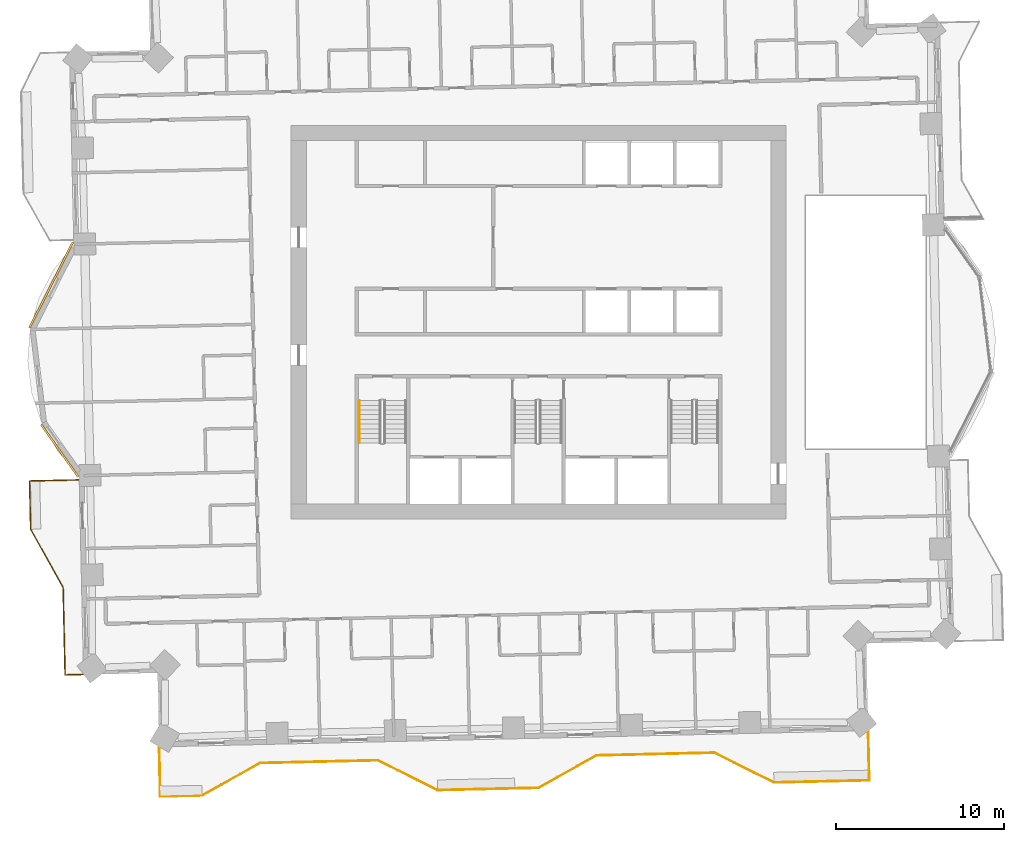
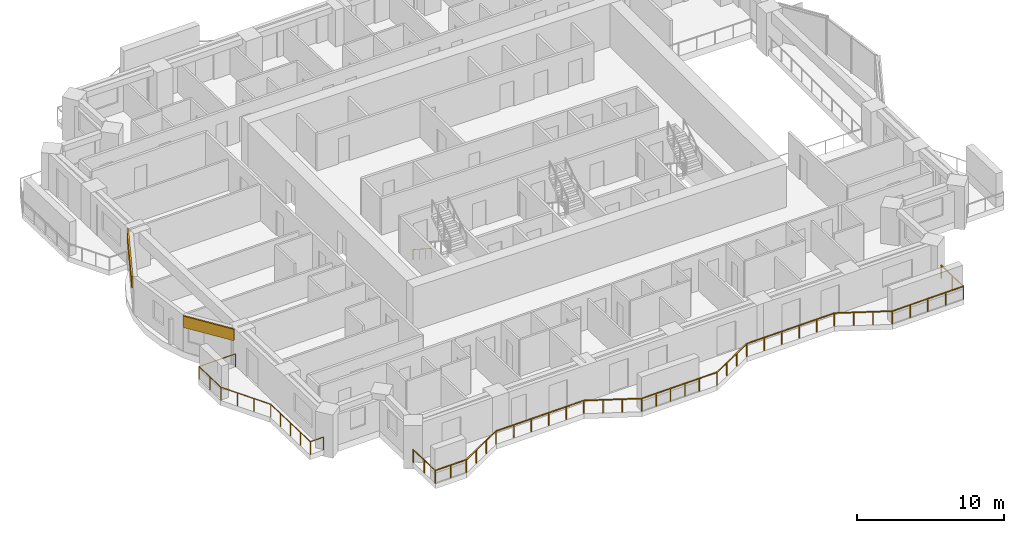
# One storey, part 13 of 16: 3 railings, 2 coverings.
"""IFC4 building model written with IfcOpenShell, lengths in metres."""

from ifc_helpers import new_model, si_unit, direction, frame, frame_2d, origin, origin_2d, place, context, subcontext, project, spatial, rectangle, circle, extrude, material, layer, layer_set, type_object, element, save


model = new_model("IFC4")

# Units and contexts
model_context = context("Model", 3, precision=1e-05, world=origin(), true_north=direction((0.0, 1.0)))
body_context = subcontext(model_context, "Body", "Model", "MODEL_VIEW")
ifc_project = project(units=[si_unit("LENGTHUNIT", "METRE"), si_unit("AREAUNIT", "SQUARE_METRE"), si_unit("VOLUMEUNIT", "CUBIC_METRE"), si_unit("PLANEANGLEUNIT", "RADIAN"), si_unit("MASSUNIT", "GRAM", prefix="KILO")], contexts=[model_context])

# Site, building, storey
site_placement = place(None, origin())
site = spatial("IfcSite", under=ifc_project, at=site_placement, CompositionType="ELEMENT")
building_placement = place(site_placement, origin())
building = spatial("IfcBuilding", under=site, at=building_placement, Name="Mangrove Gate Tower", CompositionType="ELEMENT")
storey_placement = place(building_placement, frame((0.0, 0.0, 140.89990234375)))
storey = spatial("IfcBuildingStorey", under=building, at=storey_placement, Name="L35", CompositionType="ELEMENT", Elevation=140.89990234375)

# Railings
ifc_material_1 = material(Name="Stainless steel grade 316 with laminated glass infill", Category="steel")
railing_type_1 = type_object("IfcRailingType", Name="Balcony guard 1100", PredefinedType="GUARDRAIL", material=ifc_material_1)
railing_1_placement = place(storey_placement, frame((-27.343994140625, -9.361083984375, 0.0)))
element("IfcRailing", 1, at=railing_1_placement, inside=storey, type_object=railing_type_1, Name="GUARD L35 W2", PredefinedType="GUARDRAIL", context=body_context, shape_type="SweptSolid", body=[
    extrude(rectangle(XDim=0.048095703125, YDim=0.048095703125, at=origin_2d()), frame((0.0, 0.0, 1.076171875), z_axis=(-0.999743349437, -0.022654696127, 0.0), x_axis=(0.022654696127, -0.999743349437, 0.0)), (0.0, 0.0, 1.0), 2.90966796875),
    extrude(rectangle(XDim=0.048095703125, YDim=0.048095703125, at=origin_2d()), frame((-2.908935546875, -0.06591796875, 1.076171875), z_axis=(0.022590224177, -0.999744808324, 0.0), x_axis=(0.999744808324, 0.022590224177, 0.0)), (0.0, 0.0, 1.0), 2.874755859375),
    extrude(rectangle(XDim=0.048095703125, YDim=0.048095703125, at=origin_2d()), frame((-2.843994140625, -2.93994140625, 1.076171875), z_axis=(0.48726008209, -0.87325689943, 0.0), x_axis=(0.87325689943, 0.48726008209, 0.0)), (0.0, 0.0, 1.0), 3.958740234375),
    extrude(rectangle(XDim=0.048095703125, YDim=0.048095703125, at=origin_2d()), frame((-0.9150390625, -6.39697265625, 1.076171875), z_axis=(0.022675548694, -0.99974287669, 0.0), x_axis=(0.99974287669, 0.022675548694, 0.0)), (0.0, 0.0, 1.0), 5.2001953125),
    extrude(rectangle(XDim=0.048095703125, YDim=0.048095703125, at=origin_2d()), frame((-0.797119140625, -11.595947265625, 1.076171875), z_axis=(0.999745389313, 0.022564497502, 0.0), x_axis=(-0.022564497502, 0.999745389313, 0.0)), (0.0, 0.0, 1.0), 1.060302734375),
    extrude(rectangle(XDim=0.0419921875, YDim=0.0419921875, at=origin_2d()), origin(), (0.0, 0.0, 1.0), 1.052001953125),
    extrude(rectangle(XDim=0.0419921875, YDim=0.0419921875, at=origin_2d()), frame((-1.45458984375, -0.032958984375, 0.0)), (0.0, 0.0, 1.0), 1.052001953125),
    extrude(rectangle(XDim=0.0419921875, YDim=0.0419921875, at=origin_2d()), frame((-2.908935546875, -0.06591796875, 0.0)), (0.0, 0.0, 1.0), 1.052001953125),
    extrude(rectangle(XDim=0.0419921875, YDim=0.0419921875, at=origin_2d()), frame((-2.87646484375, -1.5029296875, 0.0)), (0.0, 0.0, 1.0), 1.052001953125),
    extrude(rectangle(XDim=0.0419921875, YDim=0.0419921875, at=origin_2d()), frame((-2.843994140625, -2.93994140625, 0.0)), (0.0, 0.0, 1.0), 1.052001953125),
    extrude(rectangle(XDim=0.0419921875, YDim=0.0419921875, at=origin_2d()), frame((-2.200927734375, -4.09228515625, 0.0)), (0.0, 0.0, 1.0), 1.052001953125),
    extrude(rectangle(XDim=0.0419921875, YDim=0.0419921875, at=origin_2d()), frame((-1.55810546875, -5.24462890625, 0.0)), (0.0, 0.0, 1.0), 1.052001953125),
    extrude(rectangle(XDim=0.0419921875, YDim=0.0419921875, at=origin_2d()), frame((-0.9150390625, -6.39697265625, 0.0)), (0.0, 0.0, 1.0), 1.052001953125),
    extrude(rectangle(XDim=0.0419921875, YDim=0.0419921875, at=origin_2d()), frame((-0.885498046875, -7.69677734375, 0.0)), (0.0, 0.0, 1.0), 1.052001953125),
    extrude(rectangle(XDim=0.0419921875, YDim=0.0419921875, at=origin_2d()), frame((-0.85595703125, -8.99658203125, 0.0)), (0.0, 0.0, 1.0), 1.052001953125),
    extrude(rectangle(XDim=0.0419921875, YDim=0.0419921875, at=origin_2d()), frame((-0.82666015625, -10.296142578125, 0.0)), (0.0, 0.0, 1.0), 1.052001953125),
    extrude(rectangle(XDim=0.0419921875, YDim=0.0419921875, at=origin_2d()), frame((-0.797119140625, -11.595947265625, 0.0)), (0.0, 0.0, 1.0), 1.052001953125),
    extrude(rectangle(XDim=0.0419921875, YDim=0.0419921875, at=origin_2d()), frame((0.262939453125, -11.572021484375, 0.0)), (0.0, 0.0, 1.0), 1.052001953125),
])
railing_2_placement = place(storey_placement, frame((-22.541015625, -25.27099609375, 0.0)))
element("IfcRailing", 2, at=railing_2_placement, inside=storey, type_object=railing_type_1, Name="GUARD L35 S1", PredefinedType="GUARDRAIL", context=body_context, shape_type="SweptSolid", body=[
    extrude(rectangle(XDim=0.048095703125, YDim=0.048095703125, at=origin_2d()), frame((0.0, 0.0, 1.076171875), z_axis=(0.022319239446, -0.999750894749, 0.0), x_axis=(0.999750894749, 0.022319239446, 0.0)), (0.0, 0.0, 1.0), 2.90966796875),
    extrude(rectangle(XDim=0.048095703125, YDim=0.048095703125, at=origin_2d()), frame((0.06494140625, -2.908935546875, 1.076171875), z_axis=(0.999744377796, 0.022609269456, 0.0), x_axis=(-0.022609269456, 0.999744377796, 0.0)), (0.0, 0.0, 1.0), 2.472900390625),
    extrude(rectangle(XDim=0.048095703125, YDim=0.048095703125, at=origin_2d()), frame((2.537109375, -2.85302734375, 1.076171875), z_axis=(0.873242256246, 0.487286324359, 0.0), x_axis=(-0.487286324359, 0.873242256246, 0.0)), (0.0, 0.0, 1.0), 3.95849609375),
    extrude(rectangle(XDim=0.048095703125, YDim=0.048095703125, at=origin_2d()), frame((5.993896484375, -0.924072265625, 1.076171875), z_axis=(0.999745352708, 0.022566119286, 0.0), x_axis=(-0.022566119286, 0.999745352708, 0.0)), (0.0, 0.0, 1.0), 6.999755859375),
    extrude(rectangle(XDim=0.048095703125, YDim=0.048095703125, at=origin_2d()), frame((12.991943359375, -0.76611328125, 1.076171875), z_axis=(0.894501186021, -0.447065574839, 0.0), x_axis=(0.447065574839, 0.894501186021, 0.0)), (0.0, 0.0, 1.0), 3.958740234375),
    extrude(rectangle(XDim=0.048095703125, YDim=0.048095703125, at=origin_2d()), frame((16.532958984375, -2.535888671875, 1.076171875), z_axis=(0.999739584003, 0.022820258049, 0.0), x_axis=(-0.022820258049, 0.999739584003, 0.0)), (0.0, 0.0, 1.0), 4.600341796875),
    extrude(rectangle(XDim=0.048095703125, YDim=0.048095703125, at=origin_2d()), frame((21.132080078125, -2.430908203125, 1.076171875), z_axis=(0.999754810245, 0.022143156767, 0.0), x_axis=(-0.022143156767, 0.999754810245, 0.0)), (0.0, 0.0, 1.0), 1.400146484375),
    extrude(rectangle(XDim=0.048095703125, YDim=0.048095703125, at=origin_2d()), frame((22.531982421875, -2.39990234375, 1.076171875), z_axis=(0.87325689943, 0.48726008209, 0.0), x_axis=(-0.48726008209, 0.87325689943, 0.0)), (0.0, 0.0, 1.0), 3.958740234375),
    extrude(rectangle(XDim=0.048095703125, YDim=0.048095703125, at=origin_2d()), frame((25.989013671875, -0.470947265625, 1.076171875), z_axis=(0.999742195543, 0.022705559911, 0.0), x_axis=(-0.022705559911, 0.999742195543, 0.0)), (0.0, 0.0, 1.0), 6.999755859375),
    extrude(rectangle(XDim=0.048095703125, YDim=0.048095703125, at=origin_2d()), frame((32.987060546875, -0.31201171875, 1.076171875), z_axis=(0.894476522376, -0.447114919141, 0.0), x_axis=(0.447114919141, 0.894476522376, 0.0)), (0.0, 0.0, 1.0), 3.958740234375),
    extrude(rectangle(XDim=0.048095703125, YDim=0.048095703125, at=origin_2d()), frame((36.528076171875, -2.08203125, 1.076171875), z_axis=(0.999741746657, 0.022725316094, 0.0), x_axis=(-0.022725316094, 0.999741746657, 0.0)), (0.0, 0.0, 1.0), 5.67236328125),
    extrude(rectangle(XDim=0.048095703125, YDim=0.048095703125, at=origin_2d()), frame((42.198974609375, -1.953125, 1.076171875), z_axis=(-0.022652795902, 0.999743392495, 0.0), x_axis=(-0.999743392495, -0.022652795902, 0.0)), (0.0, 0.0, 1.0), 2.909912109375),
    extrude(rectangle(XDim=0.0419921875, YDim=0.0419921875, at=origin_2d()), origin(), (0.0, 0.0, 1.0), 1.052001953125),
    extrude(rectangle(XDim=0.0419921875, YDim=0.0419921875, at=origin_2d()), frame((0.032470703125, -1.45458984375, 0.0)), (0.0, 0.0, 1.0), 1.052001953125),
    extrude(rectangle(XDim=0.0419921875, YDim=0.0419921875, at=origin_2d()), frame((0.06494140625, -2.908935546875, 0.0)), (0.0, 0.0, 1.0), 1.052001953125),
    extrude(rectangle(XDim=0.0419921875, YDim=0.0419921875, at=origin_2d()), frame((1.301025390625, -2.880859375, 0.0)), (0.0, 0.0, 1.0), 1.052001953125),
    extrude(rectangle(XDim=0.0419921875, YDim=0.0419921875, at=origin_2d()), frame((2.537109375, -2.85302734375, 0.0)), (0.0, 0.0, 1.0), 1.052001953125),
    extrude(rectangle(XDim=0.0419921875, YDim=0.0419921875, at=origin_2d()), frame((3.689453125, -2.2099609375, 0.0)), (0.0, 0.0, 1.0), 1.052001953125),
    extrude(rectangle(XDim=0.0419921875, YDim=0.0419921875, at=origin_2d()), frame((4.841552734375, -1.567138671875, 0.0)), (0.0, 0.0, 1.0), 1.052001953125),
    extrude(rectangle(XDim=0.0419921875, YDim=0.0419921875, at=origin_2d()), frame((5.993896484375, -0.924072265625, 0.0)), (0.0, 0.0, 1.0), 1.052001953125),
    extrude(rectangle(XDim=0.0419921875, YDim=0.0419921875, at=origin_2d()), frame((7.3935546875, -0.892578125, 0.0)), (0.0, 0.0, 1.0), 1.052001953125),
    extrude(rectangle(XDim=0.0419921875, YDim=0.0419921875, at=origin_2d()), frame((8.793212890625, -0.86083984375, 0.0)), (0.0, 0.0, 1.0), 1.052001953125),
    extrude(rectangle(XDim=0.0419921875, YDim=0.0419921875, at=origin_2d()), frame((10.192626953125, -0.829345703125, 0.0)), (0.0, 0.0, 1.0), 1.052001953125),
    extrude(rectangle(XDim=0.0419921875, YDim=0.0419921875, at=origin_2d()), frame((11.59228515625, -0.797607421875, 0.0)), (0.0, 0.0, 1.0), 1.052001953125),
    extrude(rectangle(XDim=0.0419921875, YDim=0.0419921875, at=origin_2d()), frame((12.991943359375, -0.76611328125, 0.0)), (0.0, 0.0, 1.0), 1.052001953125),
    extrude(rectangle(XDim=0.0419921875, YDim=0.0419921875, at=origin_2d()), frame((14.17236328125, -1.35595703125, 0.0)), (0.0, 0.0, 1.0), 1.052001953125),
    extrude(rectangle(XDim=0.0419921875, YDim=0.0419921875, at=origin_2d()), frame((15.3525390625, -1.946044921875, 0.0)), (0.0, 0.0, 1.0), 1.052001953125),
    extrude(rectangle(XDim=0.0419921875, YDim=0.0419921875, at=origin_2d()), frame((16.532958984375, -2.535888671875, 0.0)), (0.0, 0.0, 1.0), 1.052001953125),
    extrude(rectangle(XDim=0.0419921875, YDim=0.0419921875, at=origin_2d()), frame((17.6826171875, -2.509765625, 0.0)), (0.0, 0.0, 1.0), 1.052001953125),
    extrude(rectangle(XDim=0.0419921875, YDim=0.0419921875, at=origin_2d()), frame((18.83251953125, -2.4833984375, 0.0)), (0.0, 0.0, 1.0), 1.052001953125),
    extrude(rectangle(XDim=0.0419921875, YDim=0.0419921875, at=origin_2d()), frame((19.982421875, -2.45703125, 0.0)), (0.0, 0.0, 1.0), 1.052001953125),
    extrude(rectangle(XDim=0.0419921875, YDim=0.0419921875, at=origin_2d()), frame((21.132080078125, -2.430908203125, 0.0)), (0.0, 0.0, 1.0), 1.052001953125),
    extrude(rectangle(XDim=0.0419921875, YDim=0.0419921875, at=origin_2d()), frame((22.531982421875, -2.39990234375, 0.0)), (0.0, 0.0, 1.0), 1.052001953125),
    extrude(rectangle(XDim=0.0419921875, YDim=0.0419921875, at=origin_2d()), frame((23.684326171875, -1.7568359375, 0.0)), (0.0, 0.0, 1.0), 1.052001953125),
    extrude(rectangle(XDim=0.0419921875, YDim=0.0419921875, at=origin_2d()), frame((24.836669921875, -1.114013671875, 0.0)), (0.0, 0.0, 1.0), 1.052001953125),
    extrude(rectangle(XDim=0.0419921875, YDim=0.0419921875, at=origin_2d()), frame((25.989013671875, -0.470947265625, 0.0)), (0.0, 0.0, 1.0), 1.052001953125),
    extrude(rectangle(XDim=0.0419921875, YDim=0.0419921875, at=origin_2d()), frame((27.388671875, -0.439208984375, 0.0)), (0.0, 0.0, 1.0), 1.052001953125),
    extrude(rectangle(XDim=0.0419921875, YDim=0.0419921875, at=origin_2d()), frame((28.788330078125, -0.407470703125, 0.0)), (0.0, 0.0, 1.0), 1.052001953125),
    extrude(rectangle(XDim=0.0419921875, YDim=0.0419921875, at=origin_2d()), frame((30.187744140625, -0.37548828125, 0.0)), (0.0, 0.0, 1.0), 1.052001953125),
    extrude(rectangle(XDim=0.0419921875, YDim=0.0419921875, at=origin_2d()), frame((31.58740234375, -0.34375, 0.0)), (0.0, 0.0, 1.0), 1.052001953125),
    extrude(rectangle(XDim=0.0419921875, YDim=0.0419921875, at=origin_2d()), frame((32.987060546875, -0.31201171875, 0.0)), (0.0, 0.0, 1.0), 1.052001953125),
    extrude(rectangle(XDim=0.0419921875, YDim=0.0419921875, at=origin_2d()), frame((34.16748046875, -0.902099609375, 0.0)), (0.0, 0.0, 1.0), 1.052001953125),
    extrude(rectangle(XDim=0.0419921875, YDim=0.0419921875, at=origin_2d()), frame((35.34765625, -1.491943359375, 0.0)), (0.0, 0.0, 1.0), 1.052001953125),
    extrude(rectangle(XDim=0.0419921875, YDim=0.0419921875, at=origin_2d()), frame((36.528076171875, -2.08203125, 0.0)), (0.0, 0.0, 1.0), 1.052001953125),
    extrude(rectangle(XDim=0.0419921875, YDim=0.0419921875, at=origin_2d()), frame((37.94580078125, -2.0498046875, 0.0)), (0.0, 0.0, 1.0), 1.052001953125),
    extrude(rectangle(XDim=0.0419921875, YDim=0.0419921875, at=origin_2d()), frame((39.363525390625, -2.017578125, 0.0)), (0.0, 0.0, 1.0), 1.052001953125),
    extrude(rectangle(XDim=0.0419921875, YDim=0.0419921875, at=origin_2d()), frame((40.78125, -1.9853515625, 0.0)), (0.0, 0.0, 1.0), 1.052001953125),
    extrude(rectangle(XDim=0.0419921875, YDim=0.0419921875, at=origin_2d()), frame((42.198974609375, -1.953125, 0.0)), (0.0, 0.0, 1.0), 1.052001953125),
    extrude(rectangle(XDim=0.0419921875, YDim=0.0419921875, at=origin_2d()), frame((42.166015625, -0.49853515625, 0.0)), (0.0, 0.0, 1.0), 1.052001953125),
    extrude(rectangle(XDim=0.0419921875, YDim=0.0419921875, at=origin_2d()), frame((42.133056640625, 0.9560546875, 0.0)), (0.0, 0.0, 1.0), 1.052001953125),
])
ifc_material_2 = material(Name="Stainless steel 316", Category="steel")
railing_type_2 = type_object("IfcRailingType", Name="Core stair handrail 900", PredefinedType="HANDRAIL", material=ifc_material_2)
railing_3_placement = place(storey_placement, frame((-10.64990234375, -4.64990234375, 0.18017578125)))
element("IfcRailing", 3, at=railing_3_placement, inside=storey, type_object=railing_type_2, Name="L35 ST1 stair handrail 1", PredefinedType="HANDRAIL", context=body_context, shape_type="SweptSolid", body=[
    extrude(circle(Radius=0.02392578125, at=origin_2d()), frame((0.0, 0.0, 0.8759765625), z_axis=(0.0, -0.841199657755, 0.540724639528), x_axis=(1.0, 0.0, 0.0)), (0.0, 0.0, 1.0), 2.995849609375),
    extrude(circle(Radius=0.02099609375, at=origin_2d()), origin(), (0.0, 0.0, 1.0), 0.851806640625),
    extrude(circle(Radius=0.02099609375, at=origin_2d()), frame((0.0, -0.840087890625, 0.5400390625)), (0.0, 0.0, 1.0), 0.851806640625),
    extrude(circle(Radius=0.02099609375, at=origin_2d()), frame((0.0, -1.679931640625, 1.079833984375)), (0.0, 0.0, 1.0), 0.851806640625),
    extrude(circle(Radius=0.02099609375, at=origin_2d()), frame((0.0, -2.52001953125, 1.619873046875)), (0.0, 0.0, 1.0), 0.851806640625),
])

# Coverings
ifc_material_3 = material(Name="Limestone", Category="masonry")
ifc_layer_1 = layer(ifc_material_3, 0.0400390625, Name="Limestone cladding")
ifc_material_4 = material(Name="Stainless steel anchors and cavity", Category="steel")
ifc_layer_2 = layer(ifc_material_4, 0.080078125, Name="Fixing cavity")
ifc_layer_set = layer_set([ifc_layer_1, ifc_layer_2], Name="Joint fascia cladding 120")
covering_type = type_object("IfcCoveringType", Name="Joint fascia cladding 120", PredefinedType="CLADDING", material=ifc_layer_set)
covering_1_placement = place(storey_placement, frame((-27.67431640625, 4.759521484375, 2.10009765625), z_axis=(0.0, 0.0, 1.0), x_axis=(-0.452615399326, -0.89170583731, 0.0)))
element("IfcCovering", 4, at=covering_1_placement, inside=storey, type_object=covering_type, Name="STONE FASCIA L35 W9.L1", PredefinedType="CLADDING", context=body_context, shape_type="SweptSolid", body=[
    extrude(rectangle(XDim=5.7041015625, YDim=0.1201171875, at=frame_2d((2.85205078125, 0.0))), origin(), (0.0, 0.0, 1.0), 0.949951171875),
])
covering_2_placement = place(storey_placement, frame((-29.55908203125, -6.074951171875, 2.10009765625), z_axis=(0.0, 0.0, 1.0), x_axis=(0.578168098379, -0.815917673553, 0.0)))
element("IfcCovering", 5, at=covering_2_placement, inside=storey, type_object=covering_type, Name="STONE FASCIA L35 W9.L2", PredefinedType="CLADDING", context=body_context, shape_type="SweptSolid", body=[
    extrude(rectangle(XDim=3.819091796875, YDim=0.1201171875, at=frame_2d((1.90966796875, 0.0))), origin(), (0.0, 0.0, 1.0), 0.949951171875),
])

save(model, "model.ifc")
